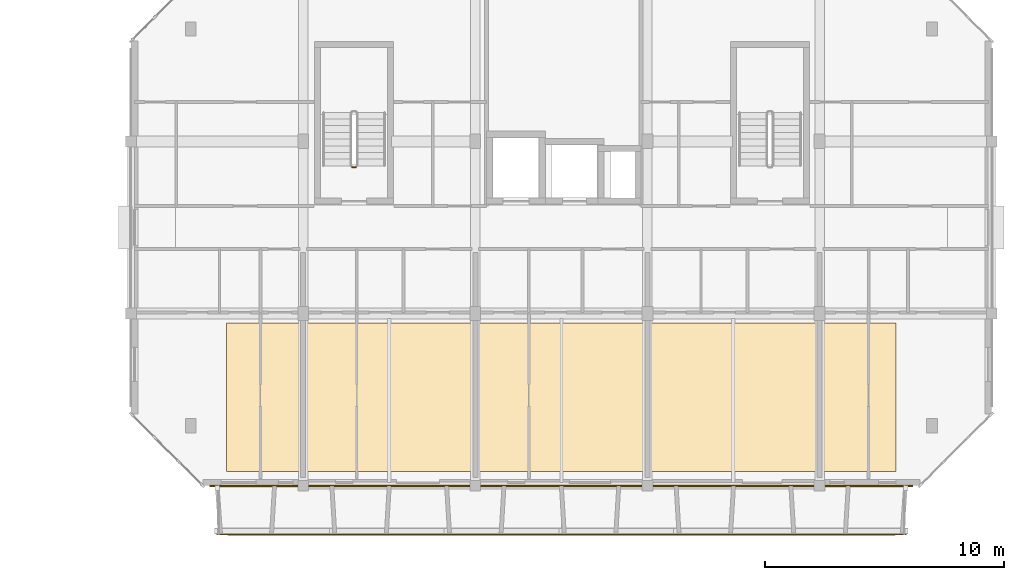
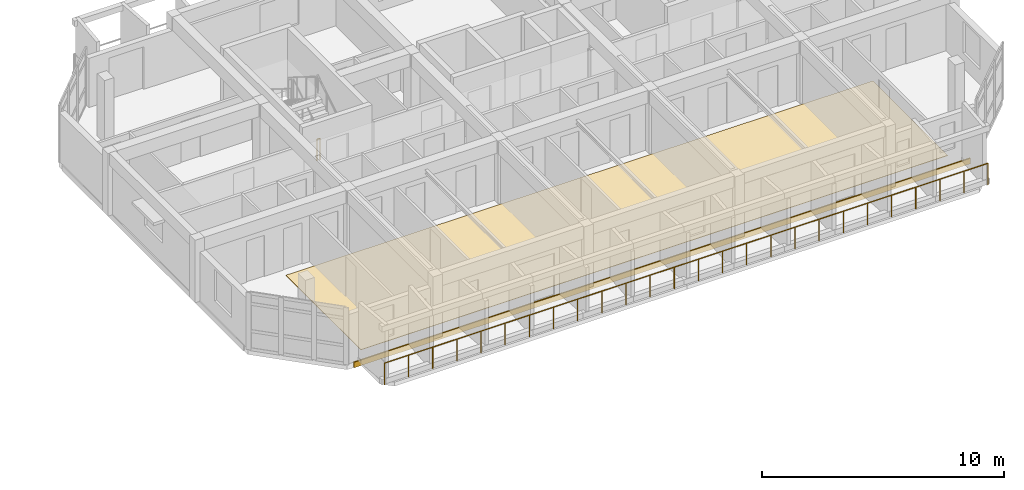
# One storey, part 39 of 43: 2 coverings, 2 railings.
"""IFC4 building model written with IfcOpenShell, lengths in metres."""

from ifc_helpers import new_model, si_unit, direction, frame, origin, origin_2d, place, context, subcontext, project, spatial, polyline, rectangle, circle, outline, extrude, material, layer, layer_set, type_object, element, save


model = new_model("IFC4")

# Units and contexts
model_context = context("Model", 3, precision=1e-05, world=origin(), true_north=direction((0.0, 1.0)))
body_context = subcontext(model_context, "Body", "Model", "MODEL_VIEW")
ifc_project = project(units=[si_unit("LENGTHUNIT", "METRE"), si_unit("AREAUNIT", "SQUARE_METRE"), si_unit("VOLUMEUNIT", "CUBIC_METRE"), si_unit("PLANEANGLEUNIT", "RADIAN"), si_unit("MASSUNIT", "GRAM", prefix="KILO")], contexts=[model_context])

# Site, building, storey
site_placement = place(None, origin())
site = spatial("IfcSite", under=ifc_project, at=site_placement, CompositionType="ELEMENT")
building_placement = place(site_placement, origin())
building = spatial("IfcBuilding", under=site, at=building_placement, Name="Ochrevale Crest", CompositionType="ELEMENT")
storey_placement = place(building_placement, frame((0.0, 0.0, 30.75)))
storey = spatial("IfcBuildingStorey", under=building, at=storey_placement, Name="L09", CompositionType="ELEMENT", Elevation=30.75)

# Coverings
ifc_material_1 = material(Name="Glazed terracotta rainscreen tile", Category="masonry")
ifc_layer_1 = layer(ifc_material_1, 0.048095703125)
ifc_layer_set_1 = layer_set([ifc_layer_1], Name="Glazed terracotta rainscreen tile")
covering_type_1 = type_object("IfcCoveringType", Name="COV-CLAD-TER", PredefinedType="CLADDING", material=ifc_layer_set_1)
covering_1_placement = place(storey_placement, frame((147.60009765625, 14.387451171875, -0.26025390625), z_axis=(0.0, 0.0, 1.0), x_axis=(1.0, 0.0, 0.0)))
element("IfcCovering", 1, at=covering_1_placement, inside=storey, type_object=covering_type_1, Name="Block C L09 terracotta slab-edge spandrel cladding", PredefinedType="CLADDING", context=body_context, shape_type="SweptSolid", body=[
    extrude(rectangle(XDim=29.39990234375, YDim=0.06005859375, at=origin_2d()), origin(), (0.0, 0.0, 1.0), 0.280029296875),
])
ifc_material_2 = material(Name="Engineered spotted-gum hardwood flooring", Category="wood")
ifc_layer_2 = layer(ifc_material_2, 0.02001953125)
ifc_layer_set_2 = layer_set([ifc_layer_2], Name="Engineered spotted-gum hardwood flooring")
covering_type_2 = type_object("IfcCoveringType", Name="COV-FLR-TIM", PredefinedType="FLOORING", material=ifc_layer_set_2)
covering_2_placement = place(storey_placement, origin())
element("IfcCovering", 2, at=covering_2_placement, inside=storey, type_object=covering_type_2, Name="Block C L09 spotted-gum apartment flooring", PredefinedType="FLOORING", context=body_context, shape_type="SweptSolid", body=[
    extrude(outline(polyline([(133.60009765625, 15.0), (161.60009765625, 15.0), (161.60009765625, 21.199951171875), (133.60009765625, 21.199951171875), (133.60009765625, 15.0)])), origin(), (0.0, 0.0, 1.0), 0.02001953125),
])

# Railings
ifc_material_3 = material(Name="Galvanised steel", Category="steel")
railing_type_1 = type_object("IfcRailingType", Name="RL-BAL-1100", PredefinedType="BALUSTRADE", material=ifc_material_3)
railing_1_placement = place(storey_placement, frame((133.199951171875, 12.360107421875, 0.0)))
element("IfcRailing", 3, at=railing_1_placement, inside=storey, type_object=railing_type_1, Name="Block C L09 S balcony front balustrade", PredefinedType="BALUSTRADE", context=body_context, shape_type="SweptSolid", body=[
    extrude(circle(Radius=0.02392578125, at=origin_2d()), frame((0.0, 0.0, 1.0859375), z_axis=(1.0, 0.0, 0.0), x_axis=(0.0, 1.0, 0.0)), (0.0, 0.0, 1.0), 28.800048828125),
    extrude(circle(Radius=0.02099609375, at=origin_2d()), origin(), (0.0, 0.0, 1.0), 1.06201171875),
    extrude(circle(Radius=0.02099609375, at=origin_2d()), frame((1.152099609375, 0.0, 0.0)), (0.0, 0.0, 1.0), 1.06201171875),
    extrude(circle(Radius=0.02099609375, at=origin_2d()), frame((2.303955078125, 0.0, 0.0)), (0.0, 0.0, 1.0), 1.06201171875),
    extrude(circle(Radius=0.02099609375, at=origin_2d()), frame((3.4560546875, 0.0, 0.0)), (0.0, 0.0, 1.0), 1.06201171875),
    extrude(circle(Radius=0.02099609375, at=origin_2d()), frame((4.60791015625, 0.0, 0.0)), (0.0, 0.0, 1.0), 1.06201171875),
    extrude(circle(Radius=0.02099609375, at=origin_2d()), frame((5.760009765625, 0.0, 0.0)), (0.0, 0.0, 1.0), 1.06201171875),
    extrude(circle(Radius=0.02099609375, at=origin_2d()), frame((6.912109375, 0.0, 0.0)), (0.0, 0.0, 1.0), 1.06201171875),
    extrude(circle(Radius=0.02099609375, at=origin_2d()), frame((8.06396484375, 0.0, 0.0)), (0.0, 0.0, 1.0), 1.06201171875),
    extrude(circle(Radius=0.02099609375, at=origin_2d()), frame((9.216064453125, 0.0, 0.0)), (0.0, 0.0, 1.0), 1.06201171875),
    extrude(circle(Radius=0.02099609375, at=origin_2d()), frame((10.367919921875, 0.0, 0.0)), (0.0, 0.0, 1.0), 1.06201171875),
    extrude(circle(Radius=0.02099609375, at=origin_2d()), frame((11.52001953125, 0.0, 0.0)), (0.0, 0.0, 1.0), 1.06201171875),
    extrude(circle(Radius=0.02099609375, at=origin_2d()), frame((12.672119140625, 0.0, 0.0)), (0.0, 0.0, 1.0), 1.06201171875),
    extrude(circle(Radius=0.02099609375, at=origin_2d()), frame((13.823974609375, 0.0, 0.0)), (0.0, 0.0, 1.0), 1.06201171875),
    extrude(circle(Radius=0.02099609375, at=origin_2d()), frame((14.97607421875, 0.0, 0.0)), (0.0, 0.0, 1.0), 1.06201171875),
    extrude(circle(Radius=0.02099609375, at=origin_2d()), frame((16.1279296875, 0.0, 0.0)), (0.0, 0.0, 1.0), 1.06201171875),
    extrude(circle(Radius=0.02099609375, at=origin_2d()), frame((17.280029296875, 0.0, 0.0)), (0.0, 0.0, 1.0), 1.06201171875),
    extrude(circle(Radius=0.02099609375, at=origin_2d()), frame((18.43212890625, 0.0, 0.0)), (0.0, 0.0, 1.0), 1.06201171875),
    extrude(circle(Radius=0.02099609375, at=origin_2d()), frame((19.583984375, 0.0, 0.0)), (0.0, 0.0, 1.0), 1.06201171875),
    extrude(circle(Radius=0.02099609375, at=origin_2d()), frame((20.736083984375, 0.0, 0.0)), (0.0, 0.0, 1.0), 1.06201171875),
    extrude(circle(Radius=0.02099609375, at=origin_2d()), frame((21.887939453125, 0.0, 0.0)), (0.0, 0.0, 1.0), 1.06201171875),
    extrude(circle(Radius=0.02099609375, at=origin_2d()), frame((23.0400390625, 0.0, 0.0)), (0.0, 0.0, 1.0), 1.06201171875),
    extrude(circle(Radius=0.02099609375, at=origin_2d()), frame((24.192138671875, 0.0, 0.0)), (0.0, 0.0, 1.0), 1.06201171875),
    extrude(circle(Radius=0.02099609375, at=origin_2d()), frame((25.343994140625, 0.0, 0.0)), (0.0, 0.0, 1.0), 1.06201171875),
    extrude(circle(Radius=0.02099609375, at=origin_2d()), frame((26.49609375, 0.0, 0.0)), (0.0, 0.0, 1.0), 1.06201171875),
    extrude(circle(Radius=0.02099609375, at=origin_2d()), frame((27.64794921875, 0.0, 0.0)), (0.0, 0.0, 1.0), 1.06201171875),
    extrude(circle(Radius=0.02099609375, at=origin_2d()), frame((28.800048828125, 0.0, 0.0)), (0.0, 0.0, 1.0), 1.06201171875),
])
railing_type_2 = type_object("IfcRailingType", Name="RL-ST-GUARD", PredefinedType="BALUSTRADE", material=ifc_material_3)
railing_2_placement = place(storey_placement, frame((139.0, 27.72509765625, 0.0)))
element("IfcRailing", 4, at=railing_2_placement, inside=storey, type_object=railing_type_2, Name="L09 ST-C1 stair guard 4", PredefinedType="BALUSTRADE", context=body_context, shape_type="SweptSolid", body=[
    extrude(circle(Radius=0.02392578125, at=origin_2d()), frame((0.0, 0.0, 1.076171875), z_axis=(-1.0, 0.0, 0.0), x_axis=(0.0, -1.0, 0.0)), (0.0, 0.0, 1.0), 0.14990234375),
    extrude(circle(Radius=0.02099609375, at=origin_2d()), origin(), (0.0, 0.0, 1.0), 1.052001953125),
    extrude(circle(Radius=0.02099609375, at=origin_2d()), frame((-0.14990234375, 0.0, 0.0)), (0.0, 0.0, 1.0), 1.052001953125),
])

save(model, "model.ifc")
